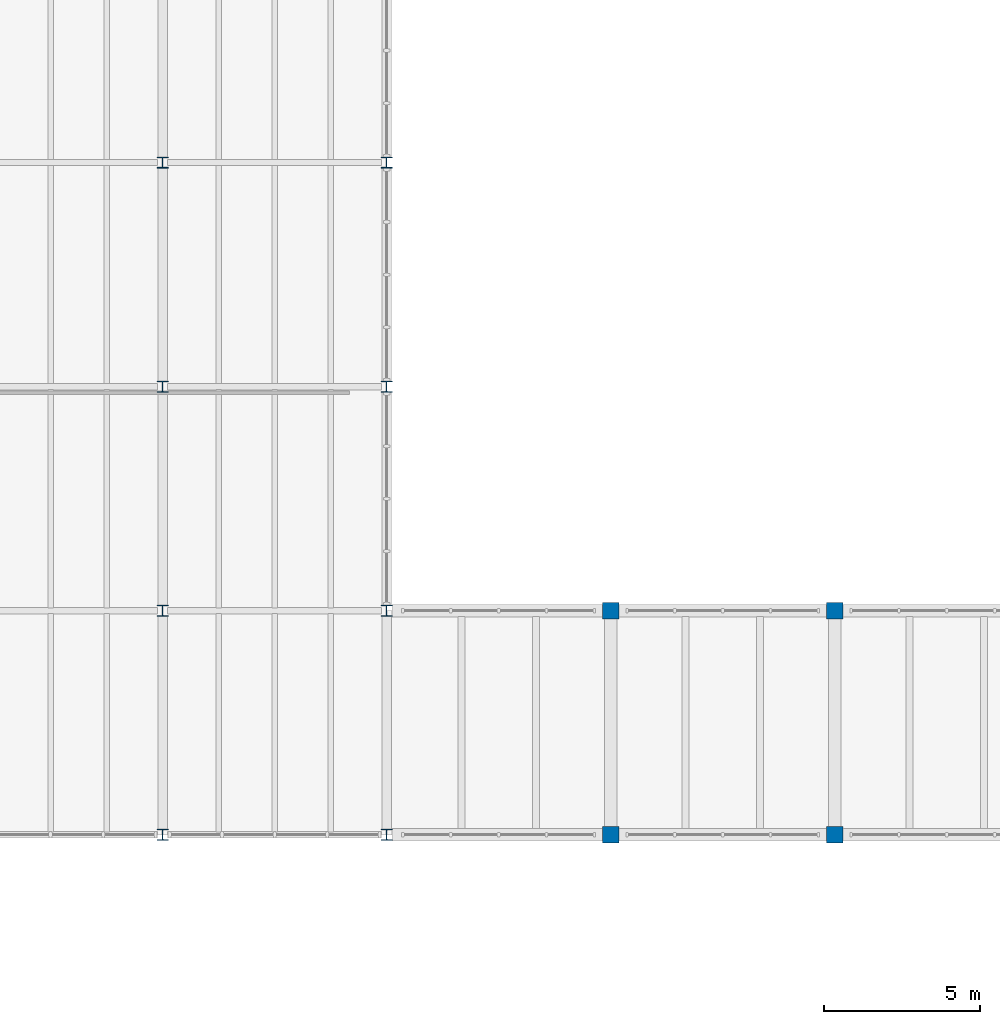
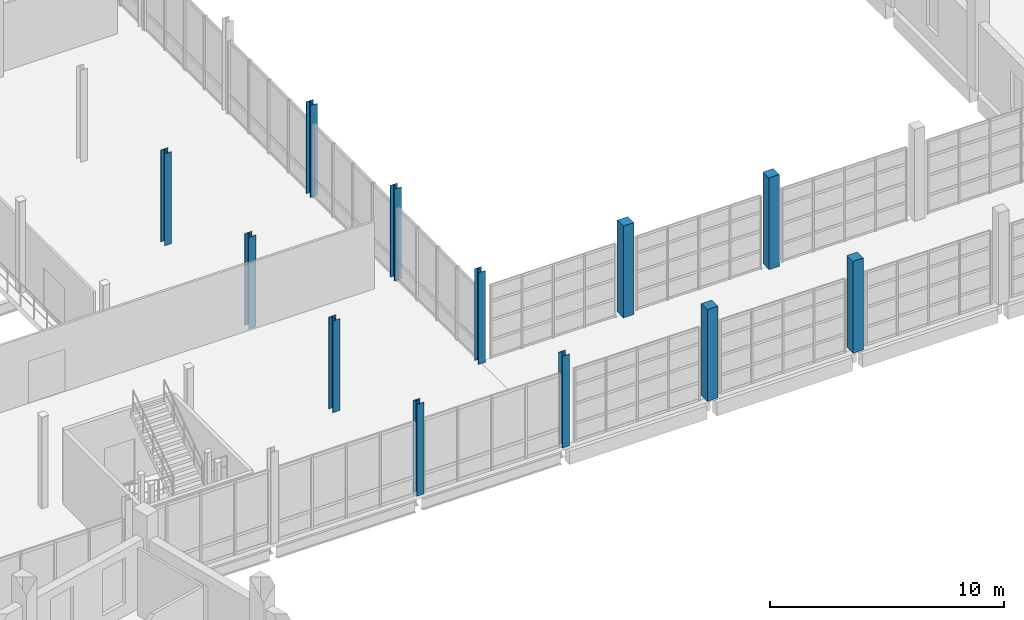
# One storey, part 9 of 77: 12 columns.
"""IFC4 building model written with IfcOpenShell, lengths in metres."""

from ifc_helpers import new_model, si_unit, direction, frame, origin, origin_2d, place, context, subcontext, project, spatial, rectangle, i_section, extrude, material, material_profile, profile_set, type_object, element, save


model = new_model("IFC4")

# Units and contexts
model_context = context("Model", 3, precision=1e-05, world=origin(), true_north=direction((0.0, 1.0)))
body_context = subcontext(model_context, "Body", "Model", "MODEL_VIEW")
ifc_project = project(units=[si_unit("LENGTHUNIT", "METRE"), si_unit("AREAUNIT", "SQUARE_METRE"), si_unit("VOLUMEUNIT", "CUBIC_METRE"), si_unit("PLANEANGLEUNIT", "RADIAN"), si_unit("MASSUNIT", "GRAM", prefix="KILO")], contexts=[model_context])

# Site, building, storey
site_placement = place(None, origin())
site = spatial("IfcSite", under=ifc_project, at=site_placement, CompositionType="ELEMENT")
building_placement = place(site_placement, origin())
building = spatial("IfcBuilding", under=site, at=building_placement, Name="Qiaolan Assembly House", CompositionType="ELEMENT")
storey_placement = place(building_placement, frame((0.0, 0.0, 5.39990234375)))
storey = spatial("IfcBuildingStorey", under=building, at=storey_placement, Name="L01", CompositionType="ELEMENT", Elevation=5.39990234375)

# Columns
ifc_material_1 = material(Name="Steel Q355B", Category="steel")
ifc_material_profile_1 = material_profile(ifc_material_1, i_section(OverallWidth=0.35009765625, OverallDepth=0.35009765625, WebThickness=0.011962890625, FlangeThickness=0.01904296875, FilletRadius=0.02001953125, at=origin_2d()), Name="HW 350x350x12x19")
ifc_profile_set_1 = profile_set([ifc_material_profile_1], Name="Steel Q355B")
column_type_1 = type_object("IfcColumnType", Name="COL-STL-HW350", PredefinedType="COLUMN", material=ifc_profile_set_1)
for number, where, z_axis, x_axis, name in (
    (1, (100.800048828125, 36.0, 0.0), (0.0, 0.0, 1.0), (1.0, 0.0, 0.0), "SC-02 hall column L01"),
    (2, (100.800048828125, 43.199951171875, 0.0), (0.0, 0.0, 1.0), (1.0, 0.0, 0.0), "SC-02 hall column L01"),
    (3, (100.800048828125, 50.39990234375, 0.0), (0.0, 0.0, 1.0), (1.0, 0.0, 0.0), "SC-02 hall column L01"),
    (4, (100.800048828125, 57.60009765625, 0.0), (0.0, 0.0, 1.0), (1.0, 0.0, 0.0), "SC-02 hall column L01"),
    (5, (108.0, 36.0, 0.0), (0.0, 0.0, 1.0), (1.0, 0.0, 0.0), "SC-02 hall column L01"),
    (6, (108.0, 43.199951171875, 0.0), (0.0, 0.0, 1.0), (1.0, 0.0, 0.0), "SC-02 hall column L01"),
    (7, (108.0, 50.39990234375, 0.0), (0.0, 0.0, 1.0), (1.0, 0.0, 0.0), "SC-02 hall column L01"),
    (8, (108.0, 57.60009765625, 0.0), (0.0, 0.0, 1.0), (1.0, 0.0, 0.0), "SC-02 hall column L01"),
):
    element("IfcColumn", number, at=place(storey_placement, frame(where, z_axis=z_axis, x_axis=x_axis)), inside=storey, type_object=column_type_1, Name=name, PredefinedType="COLUMN", context=body_context, shape_type="SweptSolid", body=[
        extrude(i_section(OverallWidth=0.35009765625, OverallDepth=0.35009765625, WebThickness=0.011962890625, FlangeThickness=0.01904296875, FilletRadius=0.02001953125, at=origin_2d()), origin(), (0.0, 0.0, 1.0), 4.800048828125),
    ])
ifc_material_2 = material(Name="Precast concrete C45/55", Category="concrete")
ifc_material_profile_2 = material_profile(ifc_material_2, rectangle(XDim=0.52001953125, YDim=0.52001953125, at=origin_2d()), Name="PIL 520x520")
ifc_profile_set_2 = profile_set([ifc_material_profile_2], Name="Precast concrete C45/55")
column_type_2 = type_object("IfcColumnType", Name="PIL-CLOISTER-520", PredefinedType="PILASTER", material=ifc_profile_set_2)
for number, where, z_axis, x_axis, name in (
    (9, (115.199951171875, 36.0, 0.0), (0.0, 0.0, 1.0), (1.0, 0.0, 0.0), "PL-06 cloister pier L01"),
    (10, (115.199951171875, 43.199951171875, 0.0), (0.0, 0.0, 1.0), (1.0, 0.0, 0.0), "PL-06 cloister pier L01"),
    (11, (122.39990234375, 36.0, 0.0), (0.0, 0.0, 1.0), (1.0, 0.0, 0.0), "PL-06 cloister pier L01"),
    (12, (122.39990234375, 43.199951171875, 0.0), (0.0, 0.0, 1.0), (1.0, 0.0, 0.0), "PL-06 cloister pier L01"),
):
    element("IfcColumn", number, at=place(storey_placement, frame(where, z_axis=z_axis, x_axis=x_axis)), inside=storey, type_object=column_type_2, Name=name, PredefinedType="PILASTER", context=body_context, shape_type="SweptSolid", body=[
        extrude(rectangle(XDim=0.52001953125, YDim=0.52001953125, at=origin_2d()), origin(), (0.0, 0.0, 1.0), 4.800048828125),
    ])

save(model, "model.ifc")
